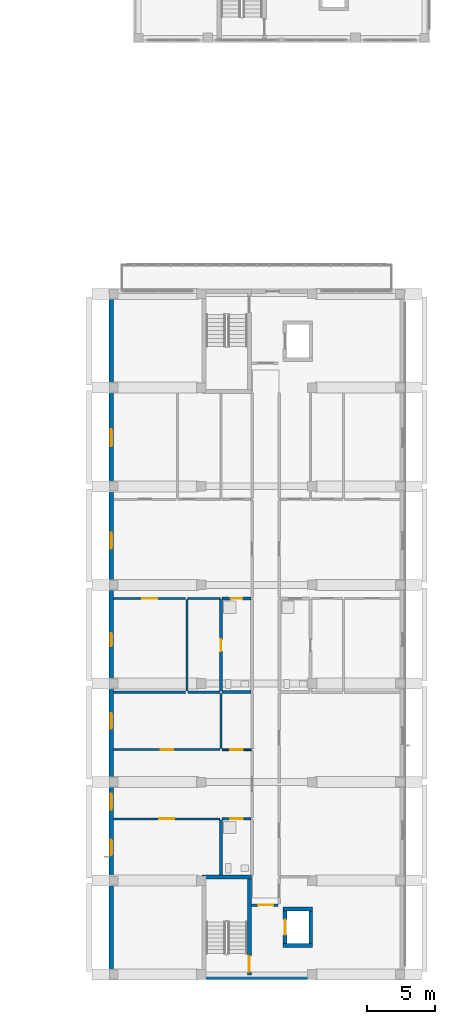
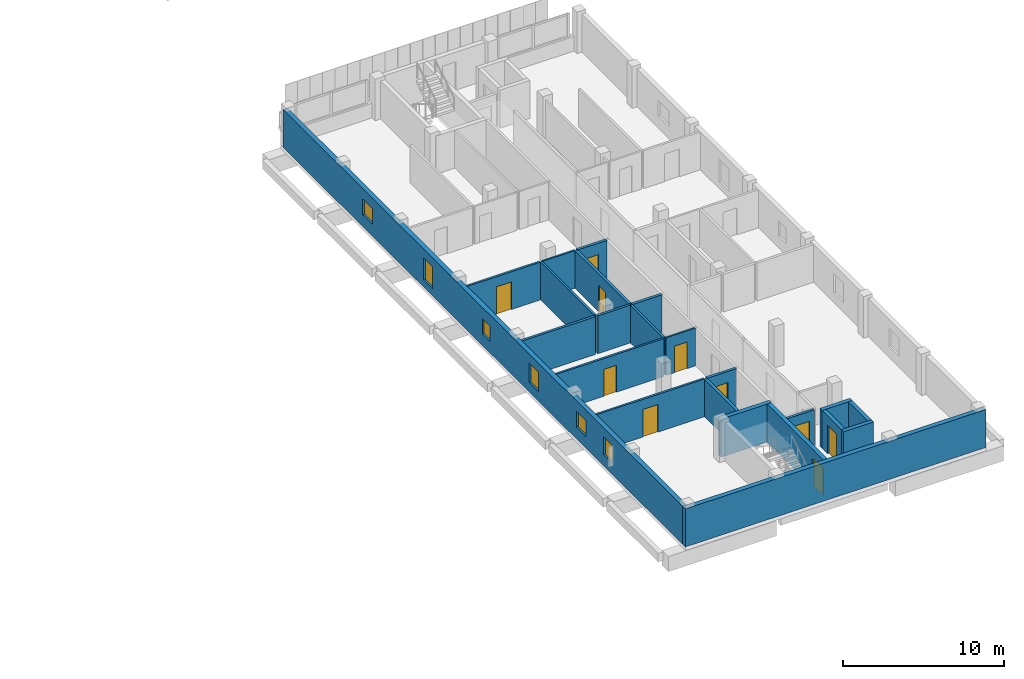
# One storey, part 31 of 51: 23 walls, 10 doors, 6 windows, 16 openings.
"""IFC4 building model written with IfcOpenShell, lengths in metres."""

from ifc_helpers import new_model, si_unit, derived_unit, direction, frame, frame_2d, origin, place, context, subcontext, project, spatial, rectangle, extrude, material, layer, layer_set, type_object, element, fill, save


model = new_model("IFC4")

# Units and contexts
model_context = context("Model", 3, precision=1e-05, world=origin(), true_north=direction((0.0, 1.0)))
body_context = subcontext(model_context, "Body", "Model", "MODEL_VIEW")
ifc_project = project(units=[si_unit("LENGTHUNIT", "METRE"), si_unit("AREAUNIT", "SQUARE_METRE"), si_unit("VOLUMEUNIT", "CUBIC_METRE"), si_unit("PLANEANGLEUNIT", "RADIAN"), si_unit("MASSUNIT", "GRAM", prefix="KILO"), derived_unit("THERMALTRANSMITTANCEUNIT", [(si_unit("MASSUNIT", "GRAM", prefix="KILO"), 1), (si_unit("TIMEUNIT", "SECOND"), -3), (si_unit("THERMODYNAMICTEMPERATUREUNIT", "KELVIN"), -1)])], contexts=[model_context])

# Site, building, storey
site_placement = place(None, origin())
site = spatial("IfcSite", under=ifc_project, at=site_placement, CompositionType="ELEMENT")
building_placement = place(site_placement, origin())
building = spatial("IfcBuilding", under=site, at=building_placement, Name="Ochrekiln Boulevard Commons", CompositionType="ELEMENT")
storey_placement = place(building_placement, frame((0.0, 0.0, 18.375)))
storey = spatial("IfcBuildingStorey", under=building, at=storey_placement, Name="L05", CompositionType="ELEMENT", Elevation=18.375)

# Wall
ifc_material_1 = material(Name="Desert ochre clinker brick masonry ASTM C216 Grade SW", Category="masonry")
ifc_layer_1 = layer(ifc_material_1, 0.330078125)
ifc_layer_set_1 = layer_set([ifc_layer_1], Name="Desert ochre clinker brick masonry ASTM C216 Grade SW")
wall_type_1 = type_object("IfcWallType", Name="WL-EXT-OCHRE-330", PredefinedType="SOLIDWALL", material=ifc_layer_set_1)
wall_1_placement = place(storey_placement, frame((149.39990234375, 0.1650390625, 0.0), z_axis=(0.0, 0.0, 1.0), x_axis=(1.0, 0.0, 0.0)))
element("IfcWall", 1, at=wall_1_placement, inside=storey, type_object=wall_type_1, Name="Block C L05 S Exterior Wall", PredefinedType="SOLIDWALL", context=body_context, shape_type="SweptSolid", body=[
    extrude(rectangle(XDim=21.60009765625, YDim=0.330078125, at=frame_2d((10.800048828125, 0.0))), origin(), (0.0, 0.0, 1.0), 2.889892578125),
])

# Wall, openings, windows
wall_2_placement = place(storey_placement, frame((149.56494140625, 0.330078125, 0.0), z_axis=(0.0, 0.0, 1.0), x_axis=(0.0, 1.0, 0.0)))
wall_2 = element("IfcWall", 2, at=wall_2_placement, inside=storey, type_object=wall_type_1, Name="Block C L05 W Exterior Wall", PredefinedType="SOLIDWALL", context=body_context, shape_type="SweptSolid", body=[
    extrude(rectangle(XDim=49.739990234375, YDim=0.330078125, at=frame_2d((24.8701171875, 0.0))), origin(), (0.0, 0.0, 1.0), 2.889892578125),
])
opening_1_placement = place(wall_2_placement, frame((12.05908203125, 0.0, 0.89990234375)))
opening_1 = element("IfcOpeningElement", 3, at=opening_1_placement, cuts=wall_2, Name="Opening W-11", PredefinedType="OPENING", context=body_context, shape_type="SweptSolid", body=[
    extrude(rectangle(XDim=1.14990234375, YDim=1.199951171875, at=frame_2d((0.574951171875, 0.60009765625))), frame((0.0, 0.175048828125, 0.0), z_axis=(0.0, -1.0, 0.0), x_axis=(1.0, 0.0, 0.0)), (0.0, 0.0, 1.0), 0.35009765625),
])
opening_2_placement = place(wall_2_placement, frame((8.714111328125, 0.0, 0.85498046875)))
opening_2 = element("IfcOpeningElement", 4, at=opening_2_placement, cuts=wall_2, Name="Opening W-12", PredefinedType="OPENING", context=body_context, shape_type="SweptSolid", body=[
    extrude(rectangle(XDim=1.14990234375, YDim=1.35009765625, at=frame_2d((0.574951171875, 0.675048828125))), frame((0.0, 0.175048828125, 0.0), z_axis=(0.0, -1.0, 0.0), x_axis=(1.0, 0.0, 0.0)), (0.0, 0.0, 1.0), 0.35009765625),
])
opening_3_placement = place(wall_2_placement, frame((17.9619140625, 0.0, 0.705078125)))
opening_3 = element("IfcOpeningElement", 5, at=opening_3_placement, cuts=wall_2, Name="Opening W-13", PredefinedType="OPENING", context=body_context, shape_type="SweptSolid", body=[
    extrude(rectangle(XDim=1.14990234375, YDim=1.5, at=frame_2d((0.574951171875, 0.75))), frame((0.0, 0.175048828125, 0.0), z_axis=(0.0, -1.0, 0.0), x_axis=(1.0, 0.0, 0.0)), (0.0, 0.0, 1.0), 0.35009765625),
])
opening_4_placement = place(wall_2_placement, frame((31.114990234375, 0.0, 0.554931640625)))
opening_4 = element("IfcOpeningElement", 6, at=opening_4_placement, cuts=wall_2, Name="Opening W-14", PredefinedType="OPENING", context=body_context, shape_type="SweptSolid", body=[
    extrude(rectangle(XDim=1.14990234375, YDim=1.64990234375, at=frame_2d((0.574951171875, 0.824951171875))), frame((0.0, 0.175048828125, 0.0), z_axis=(0.0, -1.0, 0.0), x_axis=(1.0, 0.0, 0.0)), (0.0, 0.0, 1.0), 0.35009765625),
])
opening_5_placement = place(wall_2_placement, frame((23.991943359375, 0.0, 0.85009765625)))
opening_5 = element("IfcOpeningElement", 7, at=opening_5_placement, cuts=wall_2, Name="Opening W-01", PredefinedType="OPENING", context=body_context, shape_type="SweptSolid", body=[
    extrude(rectangle(XDim=0.949951171875, YDim=1.199951171875, at=frame_2d((0.47509765625, 0.60009765625))), frame((0.0, 0.175048828125, 0.0), z_axis=(0.0, -1.0, 0.0), x_axis=(1.0, 0.0, 0.0)), (0.0, 0.0, 1.0), 0.35009765625),
])
opening_6_placement = place(wall_2_placement, frame((38.580078125, 0.0, 0.89990234375)))
opening_6 = element("IfcOpeningElement", 8, at=opening_6_placement, cuts=wall_2, Name="Opening W-16", PredefinedType="OPENING", context=body_context, shape_type="SweptSolid", body=[
    extrude(rectangle(XDim=1.25, YDim=1.199951171875, at=frame_2d((0.625, 0.60009765625))), frame((0.0, 0.175048828125, 0.0), z_axis=(0.0, -1.0, 0.0), x_axis=(1.0, 0.0, 0.0)), (0.0, 0.0, 1.0), 0.35009765625),
])
ifc_material_2 = material(Name="Thermally broken aluminium-clad oak frame", Category="aluminium")
window_type_1 = type_object("IfcWindowType", Name="WIN-EXT-01", PartitioningType="SINGLE_PANEL", PredefinedType="WINDOW", material=ifc_material_2)
window_1_placement = place(opening_5_placement, origin())
window_1 = element("IfcWindow", 9, at=window_1_placement, inside=storey, type_object=window_type_1, Name="Block C L05 Punched Masonry Window W-01", OverallHeight=1.199951171875, OverallWidth=0.949951171875, PartitioningType="SINGLE_PANEL", PredefinedType="WINDOW", context=body_context, shape_type="SweptSolid", body=[
    extrude(rectangle(XDim=0.949951171875, YDim=1.199951171875, at=frame_2d((0.47509765625, 0.60009765625))), frame((0.0, 0.030029296875, 0.0), z_axis=(0.0, -1.0, 0.0), x_axis=(1.0, 0.0, 0.0)), (0.0, 0.0, 1.0), 0.06005859375),
])
fill(opening_5, window_1)
window_type_2 = type_object("IfcWindowType", Name="WIN-EXT-11", PartitioningType="SINGLE_PANEL", PredefinedType="WINDOW", material=ifc_material_2)
window_2_placement = place(opening_1_placement, origin())
window_2 = element("IfcWindow", 10, at=window_2_placement, inside=storey, type_object=window_type_2, Name="Block C L05 Punched Masonry Window W-11", OverallHeight=1.199951171875, OverallWidth=1.14990234375, PartitioningType="SINGLE_PANEL", PredefinedType="WINDOW", context=body_context, shape_type="SweptSolid", body=[
    extrude(rectangle(XDim=1.14990234375, YDim=1.199951171875, at=frame_2d((0.574951171875, 0.60009765625))), frame((0.0, 0.030029296875, 0.0), z_axis=(0.0, -1.0, 0.0), x_axis=(1.0, 0.0, 0.0)), (0.0, 0.0, 1.0), 0.06005859375),
])
fill(opening_1, window_2)
window_type_3 = type_object("IfcWindowType", Name="WIN-EXT-12", PartitioningType="SINGLE_PANEL", PredefinedType="WINDOW", material=ifc_material_2)
window_3_placement = place(opening_2_placement, origin())
window_3 = element("IfcWindow", 11, at=window_3_placement, inside=storey, type_object=window_type_3, Name="Block C L05 Punched Masonry Window W-12", OverallHeight=1.35009765625, OverallWidth=1.14990234375, PartitioningType="SINGLE_PANEL", PredefinedType="WINDOW", context=body_context, shape_type="SweptSolid", body=[
    extrude(rectangle(XDim=1.14990234375, YDim=1.35009765625, at=frame_2d((0.574951171875, 0.675048828125))), frame((0.0, 0.030029296875, 0.0), z_axis=(0.0, -1.0, 0.0), x_axis=(1.0, 0.0, 0.0)), (0.0, 0.0, 1.0), 0.06005859375),
])
fill(opening_2, window_3)
window_type_4 = type_object("IfcWindowType", Name="WIN-EXT-13", PartitioningType="SINGLE_PANEL", PredefinedType="WINDOW", material=ifc_material_2)
window_4_placement = place(opening_3_placement, origin())
window_4 = element("IfcWindow", 12, at=window_4_placement, inside=storey, type_object=window_type_4, Name="Block C L05 Punched Masonry Window W-13", OverallHeight=1.5, OverallWidth=1.14990234375, PartitioningType="SINGLE_PANEL", PredefinedType="WINDOW", context=body_context, shape_type="SweptSolid", body=[
    extrude(rectangle(XDim=1.14990234375, YDim=1.5, at=frame_2d((0.574951171875, 0.75))), frame((0.0, 0.030029296875, 0.0), z_axis=(0.0, -1.0, 0.0), x_axis=(1.0, 0.0, 0.0)), (0.0, 0.0, 1.0), 0.06005859375),
])
fill(opening_3, window_4)
window_type_5 = type_object("IfcWindowType", Name="WIN-EXT-14", PartitioningType="SINGLE_PANEL", PredefinedType="WINDOW", material=ifc_material_2)
window_5_placement = place(opening_4_placement, origin())
window_5 = element("IfcWindow", 13, at=window_5_placement, inside=storey, type_object=window_type_5, Name="Block C L05 Punched Masonry Window W-14", OverallHeight=1.64990234375, OverallWidth=1.14990234375, PartitioningType="SINGLE_PANEL", PredefinedType="WINDOW", context=body_context, shape_type="SweptSolid", body=[
    extrude(rectangle(XDim=1.14990234375, YDim=1.64990234375, at=frame_2d((0.574951171875, 0.824951171875))), frame((0.0, 0.030029296875, 0.0), z_axis=(0.0, -1.0, 0.0), x_axis=(1.0, 0.0, 0.0)), (0.0, 0.0, 1.0), 0.06005859375),
])
fill(opening_4, window_5)
window_type_6 = type_object("IfcWindowType", Name="WIN-EXT-16", PartitioningType="SINGLE_PANEL", PredefinedType="WINDOW", material=ifc_material_2)
window_6_placement = place(opening_6_placement, origin())
window_6 = element("IfcWindow", 14, at=window_6_placement, inside=storey, type_object=window_type_6, Name="Block C L05 Punched Masonry Window W-16", OverallHeight=1.199951171875, OverallWidth=1.25, PartitioningType="SINGLE_PANEL", PredefinedType="WINDOW", context=body_context, shape_type="SweptSolid", body=[
    extrude(rectangle(XDim=1.25, YDim=1.199951171875, at=frame_2d((0.625, 0.60009765625))), frame((0.0, 0.030029296875, 0.0), z_axis=(0.0, -1.0, 0.0), x_axis=(1.0, 0.0, 0.0)), (0.0, 0.0, 1.0), 0.06005859375),
])
fill(opening_6, window_6)

# Wall, opening, door
ifc_material_3 = material(Name="Moisture-resistant cementitious tile backer wall")
ifc_layer_2 = layer(ifc_material_3, 0.199951171875)
ifc_layer_set_2 = layer_set([ifc_layer_2], Name="Moisture-resistant cementitious tile backer wall")
wall_type_2 = type_object("IfcWallType", Name="WL-PLM-200", PredefinedType="PLUMBINGWALL", material=ifc_layer_set_2)
wall_3_placement = place(storey_placement, frame((157.669921875, 11.718994140625, 0.0), z_axis=(0.0, 0.0, 1.0), x_axis=(1.0, 0.0, 0.0)))
wall_3 = element("IfcWall", 15, at=wall_3_placement, inside=storey, type_object=wall_type_2, Name="L05 Interior Wall W-PW200", PredefinedType="PLUMBINGWALL", context=body_context, shape_type="SweptSolid", body=[
    extrude(rectangle(XDim=2.108154296875, YDim=0.199951171875, at=frame_2d((1.05419921875, 0.0))), origin(), (0.0, 0.0, 1.0), 2.8701171875),
])
opening_7_placement = place(wall_3_placement, frame((0.60498046875, 0.0, 0.0)))
opening_7 = element("IfcOpeningElement", 16, at=opening_7_placement, cuts=wall_3, Name="Opening D-L05-735", PredefinedType="OPENING", context=body_context, shape_type="SweptSolid", body=[
    extrude(rectangle(XDim=0.889892578125, YDim=2.030029296875, at=frame_2d((0.44482421875, 1.01513671875))), frame((0.0, 0.10986328125, 0.0), z_axis=(0.0, -1.0, 0.0), x_axis=(1.0, 0.0, 0.0)), (0.0, 0.0, 1.0), 0.219970703125),
])
ifc_material_4 = material(Name="Solid core architectural oak door leaf")
door_type_1 = type_object("IfcDoorType", Name="DR-INT-BTH-089", OperationType="NOTDEFINED", PredefinedType="DOOR", material=ifc_material_4)
door_1_placement = place(opening_7_placement, frame((0.889892578125, 0.0, 0.0), z_axis=(0.0, 0.0, 1.0), x_axis=(-1.0, 0.0, 0.0)))
door_1 = element("IfcDoor", 17, at=door_1_placement, inside=storey, type_object=door_type_1, Name="L05 Interior Door to Accessible Apartment Bathroom", OperationType="SINGLE_SWING_LEFT", OverallHeight=2.030029296875, OverallWidth=0.889892578125, PredefinedType="DOOR", context=body_context, shape_type="SweptSolid", body=[
    extrude(rectangle(XDim=0.889892578125, YDim=2.030029296875, at=frame_2d((0.44482421875, 1.01513671875))), frame((0.0, 0.02490234375, 0.0), z_axis=(0.0, -1.0, 0.0), x_axis=(1.0, 0.0, 0.0)), (0.0, 0.0, 1.0), 0.050048828125),
])
fill(opening_7, door_1)

# Walls
wall_4_placement = place(storey_placement, frame((157.590087890625, 7.60009765625, 0.0), z_axis=(0.0, 0.0, 1.0), x_axis=(0.0, 1.0, 0.0)))
element("IfcWall", 18, at=wall_4_placement, inside=storey, type_object=wall_type_2, Name="L05 Interior Wall W-PW200", PredefinedType="PLUMBINGWALL", context=body_context, shape_type="SweptSolid", body=[
    extrude(rectangle(XDim=4.0439453125, YDim=0.199951171875, at=frame_2d((2.02197265625, 0.0))), origin(), (0.0, 0.0, 1.0), 2.8701171875),
])
wall_5_placement = place(storey_placement, frame((157.669921875, 20.97607421875, 0.0), z_axis=(0.0, 0.0, 1.0), x_axis=(1.0, 0.0, 0.0)))
element("IfcWall", 19, at=wall_5_placement, inside=storey, type_object=wall_type_2, Name="L05 Interior Wall W-PW200", PredefinedType="PLUMBINGWALL", context=body_context, shape_type="SweptSolid", body=[
    extrude(rectangle(XDim=2.108154296875, YDim=0.199951171875, at=frame_2d((1.05419921875, 0.0))), origin(), (0.0, 0.0, 1.0), 2.8701171875),
])

# Wall, opening, door
wall_6_placement = place(storey_placement, frame((157.669921875, 27.803955078125, 0.0), z_axis=(0.0, 0.0, 1.0), x_axis=(1.0, 0.0, 0.0)))
wall_6 = element("IfcWall", 20, at=wall_6_placement, inside=storey, type_object=wall_type_2, Name="L05 Interior Wall W-PW200", PredefinedType="PLUMBINGWALL", context=body_context, shape_type="SweptSolid", body=[
    extrude(rectangle(XDim=2.108154296875, YDim=0.199951171875, at=frame_2d((1.05419921875, 0.0))), origin(), (0.0, 0.0, 1.0), 2.8701171875),
])
opening_8_placement = place(wall_6_placement, frame((0.6201171875, 0.0, 0.0)))
opening_8 = element("IfcOpeningElement", 21, at=opening_8_placement, cuts=wall_6, Name="Opening D-L05-739", PredefinedType="OPENING", context=body_context, shape_type="SweptSolid", body=[
    extrude(rectangle(XDim=0.860107421875, YDim=2.0, at=frame_2d((0.43017578125, 1.0))), frame((0.0, 0.10986328125, 0.0), z_axis=(0.0, -1.0, 0.0), x_axis=(1.0, 0.0, 0.0)), (0.0, 0.0, 1.0), 0.219970703125),
])
door_type_2 = type_object("IfcDoorType", Name="DR-INT-BTH-086", OperationType="NOTDEFINED", PredefinedType="DOOR", material=ifc_material_4)
door_2_placement = place(opening_8_placement, frame((0.860107421875, 0.0, 0.0), z_axis=(0.0, 0.0, 1.0), x_axis=(-1.0, 0.0, 0.0)))
door_2 = element("IfcDoor", 22, at=door_2_placement, inside=storey, type_object=door_type_2, Name="L05 Interior Door to Apartment Bathroom", OperationType="SINGLE_SWING_LEFT", OverallHeight=2.0, OverallWidth=0.860107421875, PredefinedType="DOOR", context=body_context, shape_type="SweptSolid", body=[
    extrude(rectangle(XDim=0.860107421875, YDim=2.0, at=frame_2d((0.43017578125, 1.0))), frame((0.0, 0.02490234375, 0.0), z_axis=(0.0, -1.0, 0.0), x_axis=(1.0, 0.0, 0.0)), (0.0, 0.0, 1.0), 0.050048828125),
])
fill(opening_8, door_2)

wall_7_placement = place(storey_placement, frame((157.590087890625, 21.06591796875, 0.0), z_axis=(0.0, 0.0, 1.0), x_axis=(0.0, 1.0, 0.0)))
wall_7 = element("IfcWall", 23, at=wall_7_placement, inside=storey, type_object=wall_type_2, Name="L05 Interior Wall W-PW200", PredefinedType="PLUMBINGWALL", context=body_context, shape_type="SweptSolid", body=[
    extrude(rectangle(XDim=6.677978515625, YDim=0.199951171875, at=frame_2d((3.3388671875, 0.0))), origin(), (0.0, 0.0, 1.0), 2.8701171875),
])
opening_9_placement = place(wall_7_placement, frame((2.904052734375, 0.0, 0.0)))
opening_9 = element("IfcOpeningElement", 24, at=opening_9_placement, cuts=wall_7, Name="Opening D-L05-744", PredefinedType="OPENING", context=body_context, shape_type="SweptSolid", body=[
    extrude(rectangle(XDim=0.85009765625, YDim=2.010009765625, at=frame_2d((0.425048828125, 1.0048828125))), frame((0.0, 0.10986328125, 0.0), z_axis=(0.0, -1.0, 0.0), x_axis=(1.0, 0.0, 0.0)), (0.0, 0.0, 1.0), 0.219970703125),
])
door_type_3 = type_object("IfcDoorType", Name="DR-INT-KIT-085", OperationType="NOTDEFINED", PredefinedType="DOOR", material=ifc_material_4)
door_3_placement = place(opening_9_placement, frame((0.85009765625, 0.0, 0.0), z_axis=(0.0, 0.0, 1.0), x_axis=(-1.0, 0.0, 0.0)))
door_3 = element("IfcDoor", 25, at=door_3_placement, inside=storey, type_object=door_type_3, Name="L05 Interior Door to Apartment Bathroom", OperationType="SINGLE_SWING_RIGHT", OverallHeight=2.010009765625, OverallWidth=0.85009765625, PredefinedType="DOOR", context=body_context, shape_type="SweptSolid", body=[
    extrude(rectangle(XDim=0.85009765625, YDim=2.010009765625, at=frame_2d((0.425048828125, 1.0048828125))), frame((0.0, 0.02490234375, 0.0), z_axis=(0.0, -1.0, 0.0), x_axis=(1.0, 0.0, 0.0)), (0.0, 0.0, 1.0), 0.050048828125),
])
fill(opening_9, door_3)

# Walls
ifc_material_5 = material(Name="Fire-rated Type X gypsum board on steel studs", Category="steel")
ifc_layer_3 = layer(ifc_material_5, 0.179931640625)
ifc_layer_set_3 = layer_set([ifc_layer_3], Name="Fire-rated Type X gypsum board on steel studs")
wall_type_3 = type_object("IfcWallType", Name="WL-PT-DEM-180", PredefinedType="PARTITIONING", material=ifc_layer_set_3)
wall_8_placement = place(storey_placement, frame((149.72998046875, 20.97607421875, 0.0), z_axis=(0.0, 0.0, 1.0), x_axis=(1.0, 0.0, 0.0)))
element("IfcWall", 26, at=wall_8_placement, inside=storey, type_object=wall_type_3, Name="L05 Interior Wall W-PD180", PredefinedType="PARTITIONING", context=body_context, shape_type="SweptSolid", body=[
    extrude(rectangle(XDim=5.277099609375, YDim=0.179931640625, at=frame_2d((2.638671875, 0.0))), origin(), (0.0, 0.0, 1.0), 2.8701171875),
])
wall_9_placement = place(storey_placement, frame((155.1669921875, 20.97607421875, 0.0), z_axis=(0.0, 0.0, 1.0), x_axis=(1.0, 0.0, 0.0)))
element("IfcWall", 27, at=wall_9_placement, inside=storey, type_object=wall_type_3, Name="L05 Interior Wall W-PD180", PredefinedType="PARTITIONING", context=body_context, shape_type="SweptSolid", body=[
    extrude(rectangle(XDim=2.347900390625, YDim=0.179931640625, at=frame_2d((1.173828125, 0.0))), origin(), (0.0, 0.0, 1.0), 2.8701171875),
])

# Wall, opening, door
ifc_layer_4 = layer(ifc_material_5, 0.18994140625)
ifc_layer_set_4 = layer_set([ifc_layer_4], Name="Fire-rated Type X gypsum board on steel studs")
wall_type_4 = type_object("IfcWallType", Name="WL-PT-LBY-190", PredefinedType="PARTITIONING", material=ifc_layer_set_4)
wall_10_placement = place(storey_placement, frame((159.800048828125, 5.419921875, 0.0), z_axis=(0.0, 0.0, 1.0), x_axis=(1.0, 0.0, 0.0)))
wall_10 = element("IfcWall", 28, at=wall_10_placement, inside=storey, type_object=wall_type_4, Name="L05 Interior Wall W-PL190", PredefinedType="PARTITIONING", context=body_context, shape_type="SweptSolid", body=[
    extrude(rectangle(XDim=1.949951171875, YDim=0.18994140625, at=frame_2d((0.97509765625, 0.0))), origin(), (0.0, 0.0, 1.0), 2.8701171875),
])
opening_10_placement = place(wall_10_placement, frame((0.5, 0.0, 0.0)))
opening_10 = element("IfcOpeningElement", 29, at=opening_10_placement, cuts=wall_10, Name="Opening D-L05-727", PredefinedType="OPENING", context=body_context, shape_type="SweptSolid", body=[
    extrude(rectangle(XDim=1.10009765625, YDim=2.1201171875, at=frame_2d((0.550048828125, 1.06005859375))), frame((0.0, 0.10498046875, 0.0), z_axis=(0.0, -1.0, 0.0), x_axis=(1.0, 0.0, 0.0)), (0.0, 0.0, 1.0), 0.2099609375),
])
ifc_material_6 = material(Name="Hollow metal fire-rated steel door assembly", Category="steel")
door_type_4 = type_object("IfcDoorType", Name="DR-LOBBY-60", OperationType="NOTDEFINED", PredefinedType="DOOR", material=ifc_material_6)
door_4_placement = place(opening_10_placement, frame((1.10009765625, 0.0, 0.0), z_axis=(0.0, 0.0, 1.0), x_axis=(-1.0, 0.0, 0.0)))
door_4 = element("IfcDoor", 30, at=door_4_placement, inside=storey, type_object=door_type_4, Name="L05 Interior Door to Passenger Elevator Lobby", OperationType="SINGLE_SWING_LEFT", OverallHeight=2.1201171875, OverallWidth=1.10009765625, PredefinedType="DOOR", context=body_context, shape_type="SweptSolid", body=[
    extrude(rectangle(XDim=1.10009765625, YDim=2.1201171875, at=frame_2d((0.550048828125, 1.06005859375))), frame((0.0, 0.02490234375, 0.0), z_axis=(0.0, -1.0, 0.0), x_axis=(1.0, 0.0, 0.0)), (0.0, 0.0, 1.0), 0.050048828125),
])
fill(opening_10, door_4)

ifc_layer_5 = layer(ifc_material_5, 0.1201171875)
ifc_layer_set_5 = layer_set([ifc_layer_5], Name="Fire-rated Type X gypsum board on steel studs")
wall_type_5 = type_object("IfcWallType", Name="WL-PT-LGT-120", PredefinedType="PARTITIONING", material=ifc_layer_set_5)
wall_11_placement = place(storey_placement, frame((157.669921875, 16.76708984375, 0.0), z_axis=(0.0, 0.0, 1.0), x_axis=(1.0, 0.0, 0.0)))
wall_11 = element("IfcWall", 31, at=wall_11_placement, inside=storey, type_object=wall_type_5, Name="L05 Interior Wall W-PL120", PredefinedType="PARTITIONING", context=body_context, shape_type="SweptSolid", body=[
    extrude(rectangle(XDim=2.108154296875, YDim=0.1201171875, at=frame_2d((1.05419921875, 0.0))), origin(), (0.0, 0.0, 1.0), 2.8701171875),
])
opening_11_placement = place(wall_11_placement, frame((0.590087890625, 0.0, 0.0)))
opening_11 = element("IfcOpeningElement", 32, at=opening_11_placement, cuts=wall_11, Name="Opening D-L05-736", PredefinedType="OPENING", context=body_context, shape_type="SweptSolid", body=[
    extrude(rectangle(XDim=0.919921875, YDim=2.02001953125, at=frame_2d((0.4599609375, 1.010009765625))), frame((0.0, 0.070068359375, 0.0), z_axis=(0.0, -1.0, 0.0), x_axis=(1.0, 0.0, 0.0)), (0.0, 0.0, 1.0), 0.14013671875),
])
door_type_5 = type_object("IfcDoorType", Name="DR-INT-KIT-092", OperationType="NOTDEFINED", PredefinedType="DOOR", material=ifc_material_4)
door_5_placement = place(opening_11_placement, origin())
door_5 = element("IfcDoor", 33, at=door_5_placement, inside=storey, type_object=door_type_5, Name="L05 Interior Door to Apartment Kitchen", OperationType="SINGLE_SWING_RIGHT", OverallHeight=2.02001953125, OverallWidth=0.919921875, PredefinedType="DOOR", context=body_context, shape_type="SweptSolid", body=[
    extrude(rectangle(XDim=0.919921875, YDim=2.02001953125, at=frame_2d((0.4599609375, 1.010009765625))), frame((0.0, 0.02490234375, 0.0), z_axis=(0.0, -1.0, 0.0), x_axis=(1.0, 0.0, 0.0)), (0.0, 0.0, 1.0), 0.050048828125),
])
fill(opening_11, door_5)

# Wall
wall_12_placement = place(storey_placement, frame((155.1669921875, 27.803955078125, 0.0), z_axis=(0.0, 0.0, 1.0), x_axis=(1.0, 0.0, 0.0)))
element("IfcWall", 34, at=wall_12_placement, inside=storey, type_object=wall_type_5, Name="L05 Interior Wall W-PL120", PredefinedType="PARTITIONING", context=body_context, shape_type="SweptSolid", body=[
    extrude(rectangle(XDim=2.343017578125, YDim=0.1201171875, at=frame_2d((1.17138671875, 0.0))), origin(), (0.0, 0.0, 1.0), 2.8701171875),
])

# Wall, opening, door
ifc_layer_6 = layer(ifc_material_5, 0.14990234375)
ifc_layer_set_6 = layer_set([ifc_layer_6], Name="Fire-rated Type X gypsum board on steel studs")
wall_type_6 = type_object("IfcWallType", Name="WL-PT-STD-150", PredefinedType="PARTITIONING", material=ifc_layer_set_6)
wall_13_placement = place(storey_placement, frame((149.72998046875, 11.718994140625, 0.0), z_axis=(0.0, 0.0, 1.0), x_axis=(1.0, 0.0, 0.0)))
wall_13 = element("IfcWall", 35, at=wall_13_placement, inside=storey, type_object=wall_type_6, Name="L05 Interior Wall W-PS150", PredefinedType="PARTITIONING", context=body_context, shape_type="SweptSolid", body=[
    extrude(rectangle(XDim=7.780029296875, YDim=0.14990234375, at=frame_2d((3.89013671875, 0.0))), origin(), (0.0, 0.0, 1.0), 2.8701171875),
])
opening_12_placement = place(wall_13_placement, frame((3.360107421875, 0.0, 0.0)))
opening_12 = element("IfcOpeningElement", 36, at=opening_12_placement, cuts=wall_13, Name="Opening D-L05-737", PredefinedType="OPENING", context=body_context, shape_type="SweptSolid", body=[
    extrude(rectangle(XDim=1.080078125, YDim=2.10009765625, at=frame_2d((0.5400390625, 1.050048828125))), frame((0.0, 0.0849609375, 0.0), z_axis=(0.0, -1.0, 0.0), x_axis=(1.0, 0.0, 0.0)), (0.0, 0.0, 1.0), 0.169921875),
])
door_type_6 = type_object("IfcDoorType", Name="DR-INT-BED-108", OperationType="NOTDEFINED", PredefinedType="DOOR", material=ifc_material_4)
door_6_placement = place(opening_12_placement, frame((1.080078125, 0.0, 0.0), z_axis=(0.0, 0.0, 1.0), x_axis=(-1.0, 0.0, 0.0)))
door_6 = element("IfcDoor", 37, at=door_6_placement, inside=storey, type_object=door_type_6, Name="L05 Interior Door to Primary Apartment Bedroom", OperationType="SINGLE_SWING_LEFT", OverallHeight=2.10009765625, OverallWidth=1.080078125, PredefinedType="DOOR", context=body_context, shape_type="SweptSolid", body=[
    extrude(rectangle(XDim=1.080078125, YDim=2.10009765625, at=frame_2d((0.5400390625, 1.050048828125))), frame((0.0, 0.02490234375, 0.0), z_axis=(0.0, -1.0, 0.0), x_axis=(1.0, 0.0, 0.0)), (0.0, 0.0, 1.0), 0.050048828125),
])
fill(opening_12, door_6)

wall_14_placement = place(storey_placement, frame((149.72998046875, 16.76708984375, 0.0), z_axis=(0.0, 0.0, 1.0), x_axis=(1.0, 0.0, 0.0)))
wall_14 = element("IfcWall", 38, at=wall_14_placement, inside=storey, type_object=wall_type_6, Name="L05 Interior Wall W-PS150", PredefinedType="PARTITIONING", context=body_context, shape_type="SweptSolid", body=[
    extrude(rectangle(XDim=7.780029296875, YDim=0.14990234375, at=frame_2d((3.89013671875, 0.0))), origin(), (0.0, 0.0, 1.0), 2.8701171875),
])
opening_13_placement = place(wall_14_placement, frame((3.449951171875, 0.0, 0.0)))
opening_13 = element("IfcOpeningElement", 39, at=opening_13_placement, cuts=wall_14, Name="Opening D-L05-738", PredefinedType="OPENING", context=body_context, shape_type="SweptSolid", body=[
    extrude(rectangle(XDim=0.89990234375, YDim=2.0400390625, at=frame_2d((0.449951171875, 1.02001953125))), frame((0.0, 0.0849609375, 0.0), z_axis=(0.0, -1.0, 0.0), x_axis=(1.0, 0.0, 0.0)), (0.0, 0.0, 1.0), 0.169921875),
])
door_type_7 = type_object("IfcDoorType", Name="DR-INT-BED-090", OperationType="NOTDEFINED", PredefinedType="DOOR", material=ifc_material_4)
door_7_placement = place(opening_13_placement, origin())
door_7 = element("IfcDoor", 40, at=door_7_placement, inside=storey, type_object=door_type_7, Name="L05 Interior Door to Secondary Apartment Bedroom", OperationType="SINGLE_SWING_RIGHT", OverallHeight=2.0400390625, OverallWidth=0.89990234375, PredefinedType="DOOR", context=body_context, shape_type="SweptSolid", body=[
    extrude(rectangle(XDim=0.89990234375, YDim=2.0400390625, at=frame_2d((0.449951171875, 1.02001953125))), frame((0.0, 0.02490234375, 0.0), z_axis=(0.0, -1.0, 0.0), x_axis=(1.0, 0.0, 0.0)), (0.0, 0.0, 1.0), 0.050048828125),
])
fill(opening_13, door_7)

# Wall
wall_15_placement = place(storey_placement, frame((157.590087890625, 16.842041015625, 0.0), z_axis=(0.0, 0.0, 1.0), x_axis=(0.0, 1.0, 0.0)))
element("IfcWall", 41, at=wall_15_placement, inside=storey, type_object=wall_type_6, Name="L05 Interior Wall W-PS150", PredefinedType="PARTITIONING", context=body_context, shape_type="SweptSolid", body=[
    extrude(rectangle(XDim=4.0439453125, YDim=0.14990234375, at=frame_2d((2.02197265625, 0.0))), origin(), (0.0, 0.0, 1.0), 2.8701171875),
])

# Wall, opening, door
wall_16_placement = place(storey_placement, frame((149.72998046875, 27.803955078125, 0.0), z_axis=(0.0, 0.0, 1.0), x_axis=(1.0, 0.0, 0.0)))
wall_16 = element("IfcWall", 42, at=wall_16_placement, inside=storey, type_object=wall_type_6, Name="L05 Interior Wall W-PS150", PredefinedType="PARTITIONING", context=body_context, shape_type="SweptSolid", body=[
    extrude(rectangle(XDim=5.277099609375, YDim=0.14990234375, at=frame_2d((2.638671875, 0.0))), origin(), (0.0, 0.0, 1.0), 2.8701171875),
])
opening_14_placement = place(wall_16_placement, frame((2.10888671875, 0.0, 0.0)))
opening_14 = element("IfcOpeningElement", 43, at=opening_14_placement, cuts=wall_16, Name="Opening D-L05-741", PredefinedType="OPENING", context=body_context, shape_type="SweptSolid", body=[
    extrude(rectangle(XDim=1.080078125, YDim=2.10009765625, at=frame_2d((0.5400390625, 1.050048828125))), frame((0.0, 0.0849609375, 0.0), z_axis=(0.0, -1.0, 0.0), x_axis=(1.0, 0.0, 0.0)), (0.0, 0.0, 1.0), 0.169921875),
])
door_8_placement = place(opening_14_placement, frame((1.080078125, 0.0, 0.0), z_axis=(0.0, 0.0, 1.0), x_axis=(-1.0, 0.0, 0.0)))
door_8 = element("IfcDoor", 44, at=door_8_placement, inside=storey, type_object=door_type_6, Name="L05 Interior Door to Primary Apartment Bedroom", OperationType="SINGLE_SWING_LEFT", OverallHeight=2.10009765625, OverallWidth=1.080078125, PredefinedType="DOOR", context=body_context, shape_type="SweptSolid", body=[
    extrude(rectangle(XDim=1.080078125, YDim=2.10009765625, at=frame_2d((0.5400390625, 1.050048828125))), frame((0.0, 0.02490234375, 0.0), z_axis=(0.0, -1.0, 0.0), x_axis=(1.0, 0.0, 0.0)), (0.0, 0.0, 1.0), 0.050048828125),
])
fill(opening_14, door_8)

# Walls
wall_17_placement = place(storey_placement, frame((155.0869140625, 21.06591796875, 0.0), z_axis=(0.0, 0.0, 1.0), x_axis=(0.0, 1.0, 0.0)))
element("IfcWall", 45, at=wall_17_placement, inside=storey, type_object=wall_type_6, Name="L05 Interior Wall W-PS150", PredefinedType="PARTITIONING", context=body_context, shape_type="SweptSolid", body=[
    extrude(rectangle(XDim=6.677978515625, YDim=0.14990234375, at=frame_2d((3.3388671875, 0.0))), origin(), (0.0, 0.0, 1.0), 2.8701171875),
])
ifc_material_7 = material(Name="Concrete C40/50", Category="concrete")
ifc_layer_7 = layer(ifc_material_7, 0.27490234375)
ifc_layer_set_7 = layer_set([ifc_layer_7], Name="Concrete C40/50")
wall_type_7 = type_object("IfcWallType", Name="WL-SH-275", PredefinedType="SHEAR", material=ifc_layer_set_7)
for number, where, z_axis, x_axis, name in (
    (46, (162.125, 2.46240234375, 0.0), (0.0, 0.0, 1.0), (1.0, 0.0, 0.0), "Elevator LP-C1 L05 Hoistway Shear Wall"),
    (47, (162.125, 5.137451171875, 0.0), (0.0, 0.0, 1.0), (1.0, 0.0, 0.0), "Elevator LP-C1 L05 Hoistway Shear Wall"),
):
    element("IfcWall", number, at=place(storey_placement, frame(where, z_axis=z_axis, x_axis=x_axis)), inside=storey, type_object=wall_type_7, Name=name, PredefinedType="SHEAR", context=body_context, shape_type="SweptSolid", body=[
        extrude(rectangle(XDim=2.14990234375, YDim=0.27490234375, at=frame_2d((1.074951171875, 0.0))), origin(), (0.0, 0.0, 1.0), 2.889892578125),
    ])

# Wall, opening, door
wall_18_placement = place(storey_placement, frame((162.262451171875, 2.60009765625, 0.0), z_axis=(0.0, 0.0, 1.0), x_axis=(0.0, 1.0, 0.0)))
wall_18 = element("IfcWall", 48, at=wall_18_placement, inside=storey, type_object=wall_type_7, Name="Elevator LP-C1 L05 Hoistway Shear Wall", PredefinedType="SHEAR", context=body_context, shape_type="SweptSolid", body=[
    extrude(rectangle(XDim=2.39990234375, YDim=0.27490234375, at=frame_2d((1.199951171875, 0.0))), origin(), (0.0, 0.0, 1.0), 2.889892578125),
])
opening_15_placement = place(wall_18_placement, frame((0.64990234375, 0.0, 0.0)))
opening_15 = element("IfcOpeningElement", 49, at=opening_15_placement, cuts=wall_18, Name="Opening LD-LP-C1-L05", PredefinedType="OPENING", context=body_context, shape_type="SweptSolid", body=[
    extrude(rectangle(XDim=1.10009765625, YDim=2.14990234375, at=frame_2d((0.550048828125, 1.074951171875))), frame((0.0, 0.1474609375, 0.0), z_axis=(0.0, -1.0, 0.0), x_axis=(1.0, 0.0, 0.0)), (0.0, 0.0, 1.0), 0.294921875),
])
ifc_material_8 = material(Name="Brushed stainless steel 316 elevator cab and doors", Category="steel")
door_type_8 = type_object("IfcDoorType", Name="DR-LIFT-LD90", OperationType="SLIDING_TO_LEFT", PredefinedType="DOOR", material=ifc_material_8)
door_9_placement = place(opening_15_placement, origin())
door_9 = element("IfcDoor", 50, at=door_9_placement, inside=storey, type_object=door_type_8, Name="Elevator LP-C1 L05 Sliding Landing Door LD-LP-C1-L05", OperationType="SLIDING_TO_LEFT", OverallHeight=2.14990234375, OverallWidth=1.10009765625, PredefinedType="DOOR", context=body_context, shape_type="SweptSolid", body=[
    extrude(rectangle(XDim=1.10009765625, YDim=2.14990234375, at=frame_2d((0.550048828125, 1.074951171875))), frame((0.0, 0.02490234375, 0.0), z_axis=(0.0, -1.0, 0.0), x_axis=(1.0, 0.0, 0.0)), (0.0, 0.0, 1.0), 0.050048828125),
])
fill(opening_15, door_9)

# Walls
wall_19_placement = place(storey_placement, frame((164.137451171875, 2.60009765625, 0.0), z_axis=(0.0, 0.0, 1.0), x_axis=(0.0, 1.0, 0.0)))
element("IfcWall", 51, at=wall_19_placement, inside=storey, type_object=wall_type_7, Name="Elevator LP-C1 L05 Hoistway Shear Wall", PredefinedType="SHEAR", context=body_context, shape_type="SweptSolid", body=[
    extrude(rectangle(XDim=2.39990234375, YDim=0.27490234375, at=frame_2d((1.199951171875, 0.0))), origin(), (0.0, 0.0, 1.0), 2.889892578125),
])
ifc_layer_8 = layer(ifc_material_7, 0.300048828125)
ifc_layer_set_8 = layer_set([ifc_layer_8], Name="Concrete C40/50")
wall_type_8 = type_object("IfcWallType", Name="WL-SH-300", PredefinedType="SHEAR", material=ifc_layer_set_8)
wall_20_placement = place(storey_placement, frame((156.199951171875, 7.469970703125, 0.0), z_axis=(0.0, 0.0, 1.0), x_axis=(1.0, 0.0, 0.0)))
element("IfcWall", 52, at=wall_20_placement, inside=storey, type_object=wall_type_8, Name="Stair ST-C1 L05 Core Shear Wall N", PredefinedType="SHEAR", context=body_context, shape_type="SweptSolid", body=[
    extrude(rectangle(XDim=3.60009765625, YDim=0.300048828125, at=frame_2d((1.800048828125, 0.0))), origin(), (0.0, 0.0, 1.0), 2.889892578125),
])

# Wall, opening, door
wall_21_placement = place(storey_placement, frame((159.64990234375, 0.320068359375, 0.0), z_axis=(0.0, 0.0, 1.0), x_axis=(0.0, 1.0, 0.0)))
wall_21 = element("IfcWall", 53, at=wall_21_placement, inside=storey, type_object=wall_type_8, Name="Stair ST-C1 L05 Core Shear Wall E", PredefinedType="SHEAR", context=body_context, shape_type="SweptSolid", body=[
    extrude(rectangle(XDim=7.0, YDim=0.300048828125, at=frame_2d((3.5, 0.0))), origin(), (0.0, 0.0, 1.0), 2.889892578125),
])
opening_16_placement = place(wall_21_placement, frame((0.22509765625, 0.0, 0.0)))
opening_16 = element("IfcOpeningElement", 54, at=opening_16_placement, cuts=wall_21, Name="Opening D-L05-ST-C1", PredefinedType="OPENING", context=body_context, shape_type="SweptSolid", body=[
    extrude(rectangle(XDim=1.14990234375, YDim=2.1201171875, at=frame_2d((0.574951171875, 1.06005859375))), frame((0.0, 0.159912109375, 0.0), z_axis=(0.0, -1.0, 0.0), x_axis=(1.0, 0.0, 0.0)), (0.0, 0.0, 1.0), 0.320068359375),
])
door_type_9 = type_object("IfcDoorType", Name="DR-STAIR-90", OperationType="NOTDEFINED", PredefinedType="DOOR", material=ifc_material_6)
door_10_placement = place(opening_16_placement, origin())
door_10 = element("IfcDoor", 55, at=door_10_placement, inside=storey, type_object=door_type_9, Name="Enclosed Exit Stair ST-C1 L05 Rated Door", OperationType="SINGLE_SWING_LEFT", OverallHeight=2.1201171875, OverallWidth=1.14990234375, PredefinedType="DOOR", context=body_context, shape_type="SweptSolid", body=[
    extrude(rectangle(XDim=1.14990234375, YDim=2.1201171875, at=frame_2d((0.574951171875, 1.06005859375))), frame((0.0, 0.02490234375, 0.0), z_axis=(0.0, -1.0, 0.0), x_axis=(1.0, 0.0, 0.0)), (0.0, 0.0, 1.0), 0.050048828125),
])
fill(opening_16, door_10)

save(model, "model.ifc")
